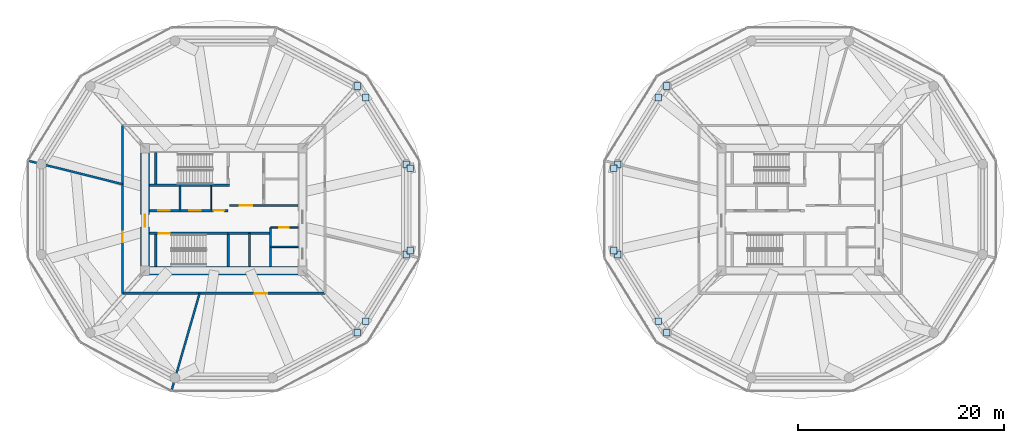
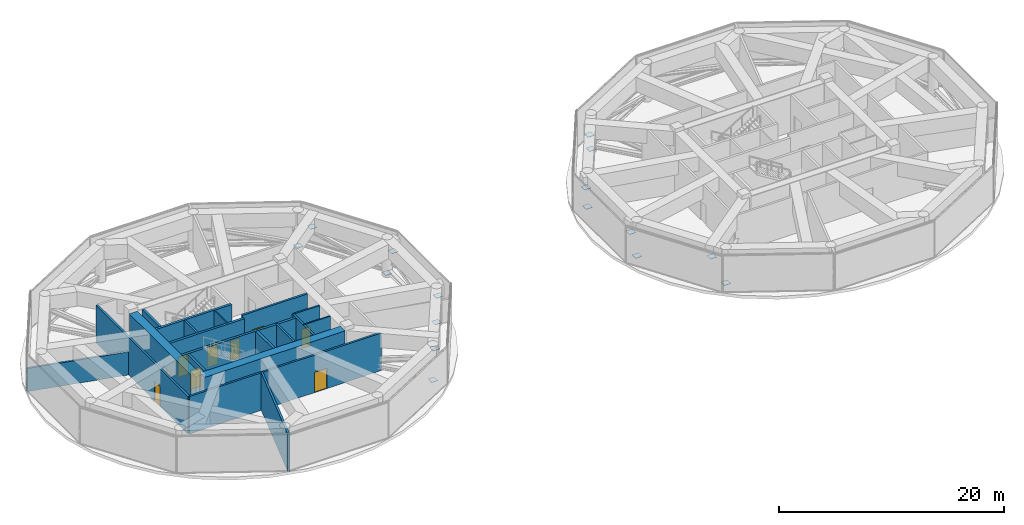
# One storey, part 16 of 22: 20 walls, 16 plates, 9 doors, 9 openings.
"""IFC4 building model written with IfcOpenShell, lengths in metres."""

from ifc_helpers import new_model, si_unit, direction, frame, frame_2d, origin, origin_2d, place, context, subcontext, project, spatial, rectangle, extrude, source, transform, mapped, material, layer, layer_set, type_object, type_shapes, element, fill, save


model = new_model("IFC4")

# Units and contexts
model_context = context("Model", 3, precision=1e-05, world=origin(), true_north=direction((0.0, 1.0)))
body_context = subcontext(model_context, "Body", "Model", "MODEL_VIEW")
ifc_project = project(units=[si_unit("LENGTHUNIT", "METRE"), si_unit("AREAUNIT", "SQUARE_METRE"), si_unit("VOLUMEUNIT", "CUBIC_METRE"), si_unit("PLANEANGLEUNIT", "RADIAN"), si_unit("MASSUNIT", "GRAM", prefix="KILO")], contexts=[model_context])

# Site, building, storey
site_placement = place(None, origin())
site = spatial("IfcSite", under=ifc_project, at=site_placement, CompositionType="ELEMENT")
building_placement = place(site_placement, origin())
building = spatial("IfcBuilding", under=site, at=building_placement, Name="Norrkilde Senior Care Towers", CompositionType="ELEMENT")
storey_placement = place(building_placement, frame((0.0, 0.0, 73.449951171875)))
storey = spatial("IfcBuildingStorey", under=building, at=storey_placement, Name="L22", CompositionType="ELEMENT", Elevation=73.449951171875)

# Plates
ifc_material_1 = material(Name="Steel S355", Category="steel")
ifc_layer_1 = layer(ifc_material_1, 0.034912109375)
ifc_layer_set_1 = layer_set([ifc_layer_1], Name="Steel S355")
plate_type = type_object("IfcPlateType", Name="Truss Node Gusset Plate 35", PredefinedType="USERDEFINED", material=ifc_layer_set_1)
shared_shape_1 = source(origin(), body_context, "Body", "SweptSolid", [
    extrude(rectangle(XDim=0.64990234375, YDim=0.64990234375, at=origin_2d()), origin(), (0.0, 0.0, 1.0), 0.034912109375),
])
type_shapes(plate_type, [shared_shape_1])
for number, where, z_axis, x_axis, name in (
    (1, (-10.275146484375, 4.386962890625, 0.1328125), (0.0, 0.0, 1.0), (1.0, 0.0, 0.0), "L22 Drum W Zone Strut 01 Lower Gusset Plate"),
    (2, (-9.89111328125, 3.986083984375, 2.61279296875), (0.0, 0.0, 1.0), (1.0, 0.0, 0.0), "L22 Drum W Zone Strut 01 Upper Gusset Plate"),
    (3, (-15.024658203125, 11.9853515625, 0.1328125), (0.0, 0.0, 1.0), (1.0, 0.0, 0.0), "L22 Drum W Zone Strut 02 Lower Gusset Plate"),
    (4, (-14.223388671875, 10.876708984375, 2.61279296875), (0.0, 0.0, 1.0), (1.0, 0.0, 0.0), "L22 Drum W Zone Strut 02 Upper Gusset Plate"),
    (5, (-15.024658203125, -11.9853515625, 0.1328125), (0.0, 0.0, 1.0), (1.0, 0.0, 0.0), "L22 Drum W Zone Strut 11 Lower Gusset Plate"),
    (6, (-14.223388671875, -10.876708984375, 2.61279296875), (0.0, 0.0, 1.0), (1.0, 0.0, 0.0), "L22 Drum W Zone Strut 11 Upper Gusset Plate"),
    (7, (-10.275146484375, -4.386962890625, 0.1328125), (0.0, 0.0, 1.0), (1.0, 0.0, 0.0), "L22 Drum W Zone Strut 12 Lower Gusset Plate"),
    (8, (-9.89111328125, -3.986083984375, 2.61279296875), (0.0, 0.0, 1.0), (1.0, 0.0, 0.0), "L22 Drum W Zone Strut 12 Upper Gusset Plate"),
    (9, (15.024658203125, 11.9853515625, 0.1328125), (0.0, 0.0, 1.0), (1.0, 0.0, 0.0), "L22 Drum E Zone Strut 05 Lower Gusset Plate"),
    (10, (14.223388671875, 10.876708984375, 2.61279296875), (0.0, 0.0, 1.0), (1.0, 0.0, 0.0), "L22 Drum E Zone Strut 05 Upper Gusset Plate"),
    (11, (10.275146484375, 4.386962890625, 0.1328125), (0.0, 0.0, 1.0), (1.0, 0.0, 0.0), "L22 Drum E Zone Strut 06 Lower Gusset Plate"),
    (12, (9.89111328125, 3.986083984375, 2.61279296875), (0.0, 0.0, 1.0), (1.0, 0.0, 0.0), "L22 Drum E Zone Strut 06 Upper Gusset Plate"),
    (13, (10.275146484375, -4.386962890625, 0.1328125), (0.0, 0.0, 1.0), (1.0, 0.0, 0.0), "L22 Drum E Zone Strut 07 Lower Gusset Plate"),
    (14, (9.89111328125, -3.986083984375, 2.61279296875), (0.0, 0.0, 1.0), (1.0, 0.0, 0.0), "L22 Drum E Zone Strut 07 Upper Gusset Plate"),
    (15, (15.024658203125, -11.9853515625, 0.1328125), (0.0, 0.0, 1.0), (1.0, 0.0, 0.0), "L22 Drum E Zone Strut 08 Lower Gusset Plate"),
    (16, (14.223388671875, -10.876708984375, 2.61279296875), (0.0, 0.0, 1.0), (1.0, 0.0, 0.0), "L22 Drum E Zone Strut 08 Upper Gusset Plate"),
):
    element("IfcPlate", number, at=place(storey_placement, frame(where, z_axis=z_axis, x_axis=x_axis)), inside=storey, type_object=plate_type, Name=name, ObjectType="GUSSET_PLATE", PredefinedType="USERDEFINED", context=body_context, shape_type="MappedRepresentation", body=[
        mapped(shared_shape_1, transform((0.0, 0.0, 0.0), x_axis=(1.0, 0.0, 0.0), y_axis=(0.0, 1.0, 0.0), z_axis=(0.0, 0.0, 1.0), scale=1.0)),
    ])

# Wall
ifc_material_2 = material(Name="Concrete C60/75", Category="concrete")
ifc_layer_2 = layer(ifc_material_2, 0.85009765625)
ifc_layer_set_2 = layer_set([ifc_layer_2], Name="Concrete C60/75")
wall_type_1 = type_object("IfcWallType", Name="Core Shear Wall Z1 850", PredefinedType="SHEAR", material=ifc_layer_set_2)
shared_shape_2 = source(origin(), body_context, "Body", "SweptSolid", [
    extrude(rectangle(XDim=14.39990234375, YDim=0.85009765625, at=frame_2d((7.199951171875, 0.0))), origin(), (0.0, 0.0, 1.0), 4.080078125),
])
wall_1_placement = place(storey_placement, frame((-20.800048828125, -5.949951171875, 0.0), z_axis=(0.0, 0.0, 1.0), x_axis=(-1.0, 0.0, 0.0)))
element("IfcWall", 17, at=wall_1_placement, inside=storey, type_object=wall_type_1, Name="L22 Core W South Shear Wall", PredefinedType="SHEAR", context=body_context, shape_type="MappedRepresentation", body=[
    mapped(shared_shape_2, transform((0.0, 0.0, 0.0), x_axis=(1.0, 0.0, 0.0), y_axis=(0.0, 1.0, 0.0), z_axis=(0.0, 0.0, 1.0), scale=1.0)),
])

# Wall, opening, door
shared_shape_3 = source(origin(), body_context, "Body", "SweptSolid", [
    extrude(rectangle(XDim=11.0, YDim=0.85009765625, at=frame_2d((5.5, 0.0))), origin(), (0.0, 0.0, 1.0), 4.080078125),
])
type_shapes(wall_type_1, [shared_shape_2, shared_shape_3])
wall_2_placement = place(storey_placement, frame((-35.64990234375, -5.5, 0.0), z_axis=(0.0, 0.0, 1.0), x_axis=(0.0, 1.0, 0.0)))
wall_2 = element("IfcWall", 18, at=wall_2_placement, inside=storey, type_object=wall_type_1, Name="L22 Core W West Shear Wall", PredefinedType="SHEAR", context=body_context, shape_type="MappedRepresentation", body=[
    mapped(shared_shape_3, transform((0.0, 0.0, 0.0), x_axis=(1.0, 0.0, 0.0), y_axis=(0.0, 1.0, 0.0), z_axis=(0.0, 0.0, 1.0), scale=1.0)),
])
opening_1_placement = place(wall_2_placement, frame((3.800048828125, 0.0, 0.0)))
opening_1 = element("IfcOpeningElement", 19, at=opening_1_placement, cuts=wall_2, Name="Opening D-04", PredefinedType="OPENING", context=body_context, shape_type="SweptSolid", body=[
    extrude(rectangle(XDim=1.199951171875, YDim=2.14990234375, at=frame_2d((0.60009765625, 1.074951171875))), frame((0.0, 0.43505859375, 0.0), z_axis=(0.0, -1.0, 0.0), x_axis=(1.0, 0.0, 0.0)), (0.0, 0.0, 1.0), 0.8701171875),
])
ifc_material_3 = material(Name="Galvanised Painted Steel", Category="steel")
door_type_1 = type_object("IfcDoorType", Name="Firefighting Lobby Fire Door 1200x2150", OperationType="NOTDEFINED", PredefinedType="DOOR", material=ifc_material_3)
shared_shape_4 = source(origin(), body_context, "Body", "SweptSolid", [
    extrude(rectangle(XDim=1.199951171875, YDim=2.14990234375, at=frame_2d((0.60009765625, 1.074951171875))), frame((0.0, 0.02490234375, 0.0), z_axis=(0.0, -1.0, 0.0), x_axis=(1.0, 0.0, 0.0)), (0.0, 0.0, 1.0), 0.050048828125),
])
type_shapes(door_type_1, [shared_shape_4])
door_1_placement = place(opening_1_placement, frame((1.199951171875, 0.0, 0.0), z_axis=(0.0, 0.0, 1.0), x_axis=(-1.0, 0.0, 0.0)))
door_1 = element("IfcDoor", 20, at=door_1_placement, inside=storey, type_object=door_type_1, Name="L22 Core W West Portal Door", OperationType="SINGLE_SWING_LEFT", OverallHeight=2.14990234375, OverallWidth=1.199951171875, PredefinedType="DOOR", context=body_context, shape_type="MappedRepresentation", body=[
    mapped(shared_shape_4, transform((0.0, 0.0, 0.0), x_axis=(1.0, 0.0, 0.0), y_axis=(0.0, 1.0, 0.0), z_axis=(0.0, 0.0, 1.0), scale=1.0)),
])
fill(opening_1, door_1)

# Wall
ifc_material_4 = material(Name="Concrete C45/55", Category="concrete")
ifc_layer_3 = layer(ifc_material_4, 0.239990234375)
ifc_layer_set_3 = layer_set([ifc_layer_3], Name="Concrete C45/55")
wall_type_2 = type_object("IfcWallType", Name="Shaft and Stair Enclosure Wall 240", PredefinedType="PARTITIONING", material=ifc_layer_set_3)
shared_shape_5 = source(origin(), body_context, "Body", "SweptSolid", [
    extrude(rectangle(XDim=7.76513671875, YDim=0.239990234375, at=frame_2d((3.882568359375, 0.0))), origin(), (0.0, 0.0, 1.0), 4.080078125),
])
wall_3_placement = place(storey_placement, frame((-35.22509765625, 2.330078125, 0.0), z_axis=(0.0, 0.0, 1.0), x_axis=(1.0, 0.0, 0.0)))
element("IfcWall", 21, at=wall_3_placement, inside=storey, type_object=wall_type_2, Name="WL-INT-L22-W-ST1S", PredefinedType="PARTITIONING", context=body_context, shape_type="MappedRepresentation", body=[
    mapped(shared_shape_5, transform((0.0, 0.0, 0.0), x_axis=(1.0, 0.0, 0.0), y_axis=(0.0, 1.0, 0.0), z_axis=(0.0, 0.0, 1.0), scale=1.0)),
])

# Wall, opening, door
wall_4_placement = place(storey_placement, frame((-35.22509765625, -2.330078125, 0.0), z_axis=(0.0, 0.0, 1.0), x_axis=(1.0, 0.0, 0.0)))
wall_4 = element("IfcWall", 22, at=wall_4_placement, inside=storey, type_object=wall_type_2, Name="WL-INT-L22-W-ST2N", PredefinedType="PARTITIONING", context=body_context, shape_type="MappedRepresentation", body=[
    mapped(shared_shape_5, transform((0.0, 0.0, 0.0), x_axis=(1.0, 0.0, 0.0), y_axis=(0.0, 1.0, 0.0), z_axis=(0.0, 0.0, 1.0), scale=1.0)),
])
opening_2_placement = place(wall_4_placement, frame((0.885009765625, 0.0, 0.0)))
opening_2 = element("IfcOpeningElement", 23, at=opening_2_placement, cuts=wall_4, Name="Opening D-03", PredefinedType="OPENING", context=body_context, shape_type="SweptSolid", body=[
    extrude(rectangle(XDim=1.10009765625, YDim=2.14990234375, at=frame_2d((0.550048828125, 1.074951171875))), frame((0.0, 0.1298828125, 0.0), z_axis=(0.0, -1.0, 0.0), x_axis=(1.0, 0.0, 0.0)), (0.0, 0.0, 1.0), 0.260009765625),
])
door_type_2 = type_object("IfcDoorType", Name="Stairwell Protected Fire Door 1100x2150", OperationType="NOTDEFINED", PredefinedType="DOOR", material=ifc_material_3)
shared_shape_6 = source(origin(), body_context, "Body", "SweptSolid", [
    extrude(rectangle(XDim=1.10009765625, YDim=2.14990234375, at=frame_2d((0.550048828125, 1.074951171875))), frame((0.0, 0.02490234375, 0.0), z_axis=(0.0, -1.0, 0.0), x_axis=(1.0, 0.0, 0.0)), (0.0, 0.0, 1.0), 0.050048828125),
])
type_shapes(door_type_2, [shared_shape_6])
door_2_placement = place(opening_2_placement, frame((1.10009765625, 0.0, 0.0), z_axis=(0.0, 0.0, 1.0), x_axis=(-1.0, 0.0, 0.0)))
door_2 = element("IfcDoor", 24, at=door_2_placement, inside=storey, type_object=door_type_2, Name="L22 Stair W2 Fire Door", OperationType="SINGLE_SWING_RIGHT", OverallHeight=2.14990234375, OverallWidth=1.10009765625, PredefinedType="DOOR", context=body_context, shape_type="MappedRepresentation", body=[
    mapped(shared_shape_6, transform((0.0, 0.0, 0.0), x_axis=(1.0, 0.0, 0.0), y_axis=(0.0, 1.0, 0.0), z_axis=(0.0, 0.0, 1.0), scale=1.0)),
])
fill(opening_2, door_2)

# Walls
shared_shape_7 = source(origin(), body_context, "Body", "SweptSolid", [
    extrude(rectangle(XDim=3.074951171875, YDim=0.239990234375, at=frame_2d((1.53759765625, 0.0))), origin(), (0.0, 0.0, 1.0), 4.080078125),
])
type_shapes(wall_type_2, [shared_shape_5, shared_shape_7])
for number, where, z_axis, x_axis, name in (
    (25, (-34.6201171875, 2.449951171875, 0.0), (0.0, 0.0, 1.0), (0.0, 1.0, 0.0), "WL-INT-L22-W-ST1W"),
    (26, (-34.6201171875, -5.52490234375, 0.0), (0.0, 0.0, 1.0), (0.0, 1.0, 0.0), "WL-INT-L22-W-ST2W"),
    (27, (-27.580078125, -5.52490234375, 0.0), (0.0, 0.0, 1.0), (0.0, 1.0, 0.0), "WL-INT-L22-W-ST2E"),
):
    element("IfcWall", number, at=place(storey_placement, frame(where, z_axis=z_axis, x_axis=x_axis)), inside=storey, type_object=wall_type_2, Name=name, PredefinedType="PARTITIONING", context=body_context, shape_type="MappedRepresentation", body=[
        mapped(shared_shape_7, transform((0.0, 0.0, 0.0), x_axis=(1.0, 0.0, 0.0), y_axis=(0.0, 1.0, 0.0), z_axis=(0.0, 0.0, 1.0), scale=1.0)),
    ])

# Wall, opening, door
ifc_layer_4 = layer(ifc_material_4, 0.2099609375)
ifc_layer_set_4 = layer_set([ifc_layer_4], Name="Concrete C45/55")
wall_type_3 = type_object("IfcWallType", Name="Firefighting Lobby Wall 210", PredefinedType="PARTITIONING", material=ifc_layer_set_4)
shared_shape_8 = source(origin(), body_context, "Body", "SweptSolid", [
    extrude(rectangle(XDim=6.659912109375, YDim=0.2099609375, at=frame_2d((3.330078125, 0.0))), origin(), (0.0, 0.0, 1.0), 4.06494140625),
])
type_shapes(wall_type_3, [shared_shape_8])
wall_5_placement = place(storey_placement, frame((-27.4599609375, 0.389892578125, 0.0), z_axis=(0.0, 0.0, 1.0), x_axis=(1.0, 0.0, 0.0)))
wall_5 = element("IfcWall", 28, at=wall_5_placement, inside=storey, type_object=wall_type_3, Name="WL-INT-L22-W-FFLS", PredefinedType="PARTITIONING", context=body_context, shape_type="MappedRepresentation", body=[
    mapped(shared_shape_8, transform((0.0, 0.0, 0.0), x_axis=(1.0, 0.0, 0.0), y_axis=(0.0, 1.0, 0.0), z_axis=(0.0, 0.0, 1.0), scale=1.0)),
])
opening_3_placement = place(wall_5_placement, frame((1.0, 0.0, 0.0)))
opening_3 = element("IfcOpeningElement", 29, at=opening_3_placement, cuts=wall_5, Name="Opening D-04", PredefinedType="OPENING", context=body_context, shape_type="SweptSolid", body=[
    extrude(rectangle(XDim=1.199951171875, YDim=2.14990234375, at=frame_2d((0.60009765625, 1.074951171875))), frame((0.0, 0.114990234375, 0.0), z_axis=(0.0, -1.0, 0.0), x_axis=(1.0, 0.0, 0.0)), (0.0, 0.0, 1.0), 0.22998046875),
])
door_3_placement = place(opening_3_placement, frame((1.199951171875, 0.0, 0.0), z_axis=(0.0, 0.0, 1.0), x_axis=(-1.0, 0.0, 0.0)))
door_3 = element("IfcDoor", 30, at=door_3_placement, inside=storey, type_object=door_type_1, Name="L22 Firefighting Lobby W Door", OperationType="SINGLE_SWING_LEFT", OverallHeight=2.14990234375, OverallWidth=1.199951171875, PredefinedType="DOOR", context=body_context, shape_type="MappedRepresentation", body=[
    mapped(shared_shape_4, transform((0.0, 0.0, 0.0), x_axis=(1.0, 0.0, 0.0), y_axis=(0.0, 1.0, 0.0), z_axis=(0.0, 0.0, 1.0), scale=1.0)),
])
fill(opening_3, door_3)

# Wall, openings, doors
ifc_layer_5 = layer(ifc_material_4, 0.239990234375)
ifc_layer_set_5 = layer_set([ifc_layer_5], Name="Concrete C45/55")
wall_type_4 = type_object("IfcWallType", Name="Lift and Plant Rated Enclosure Partition 240", PredefinedType="PARTITIONING", material=ifc_layer_set_5)
shared_shape_9 = source(origin(), body_context, "Body", "SweptSolid", [
    extrude(rectangle(XDim=7.619873046875, YDim=0.239990234375, at=frame_2d((3.81005859375, 0.0))), origin(), (0.0, 0.0, 1.0), 4.06494140625),
])
wall_6_placement = place(storey_placement, frame((-35.199951171875, -0.1298828125, 0.0), z_axis=(0.0, 0.0, 1.0), x_axis=(1.0, 0.0, 0.0)))
wall_6 = element("IfcWall", 31, at=wall_6_placement, inside=storey, type_object=wall_type_4, Name="WL-INT-L22-W-PKAS", PredefinedType="PARTITIONING", context=body_context, shape_type="MappedRepresentation", body=[
    mapped(shared_shape_9, transform((0.0, 0.0, 0.0), x_axis=(1.0, 0.0, 0.0), y_axis=(0.0, 1.0, 0.0), z_axis=(0.0, 0.0, 1.0), scale=1.0)),
])
opening_4_placement = place(wall_6_placement, frame((6.219970703125, 0.0, 0.0)))
opening_4 = element("IfcOpeningElement", 32, at=opening_4_placement, cuts=wall_6, Name="Opening D-10", PredefinedType="OPENING", context=body_context, shape_type="SweptSolid", body=[
    extrude(rectangle(XDim=1.0, YDim=2.10009765625, at=frame_2d((0.5, 1.050048828125))), frame((0.0, 0.1298828125, 0.0), z_axis=(0.0, -1.0, 0.0), x_axis=(1.0, 0.0, 0.0)), (0.0, 0.0, 1.0), 0.260009765625),
])
opening_5_placement = place(wall_6_placement, frame((0.85009765625, 0.0, 0.0)))
opening_5 = element("IfcOpeningElement", 33, at=opening_5_placement, cuts=wall_6, Name="Opening LD-01", PredefinedType="OPENING", context=body_context, shape_type="SweptSolid", body=[
    extrude(rectangle(XDim=1.10009765625, YDim=2.199951171875, at=frame_2d((0.550048828125, 1.10009765625))), frame((0.0, 0.1298828125, 0.0), z_axis=(0.0, -1.0, 0.0), x_axis=(1.0, 0.0, 0.0)), (0.0, 0.0, 1.0), 0.260009765625),
])
opening_6_placement = place(wall_6_placement, frame((3.85009765625, 0.0, 0.0)))
opening_6 = element("IfcOpeningElement", 34, at=opening_6_placement, cuts=wall_6, Name="Opening LD-01", PredefinedType="OPENING", context=body_context, shape_type="SweptSolid", body=[
    extrude(rectangle(XDim=1.10009765625, YDim=2.199951171875, at=frame_2d((0.550048828125, 1.10009765625))), frame((0.0, 0.1298828125, 0.0), z_axis=(0.0, -1.0, 0.0), x_axis=(1.0, 0.0, 0.0)), (0.0, 0.0, 1.0), 0.260009765625),
])
door_type_3 = type_object("IfcDoorType", Name="Plant and Riser Rated Door 1000x2100", OperationType="NOTDEFINED", PredefinedType="DOOR", material=ifc_material_3)
shared_shape_10 = source(origin(), body_context, "Body", "SweptSolid", [
    extrude(rectangle(XDim=1.0, YDim=2.10009765625, at=frame_2d((0.5, 1.050048828125))), frame((0.0, 0.02490234375, 0.0), z_axis=(0.0, -1.0, 0.0), x_axis=(1.0, 0.0, 0.0)), (0.0, 0.0, 1.0), 0.050048828125),
])
type_shapes(door_type_3, [shared_shape_10])
door_4_placement = place(opening_4_placement, frame((1.0, 0.0, 0.0), z_axis=(0.0, 0.0, 1.0), x_axis=(-1.0, 0.0, 0.0)))
door_4 = element("IfcDoor", 35, at=door_4_placement, inside=storey, type_object=door_type_3, Name="L22 Electrical Riser W Door", OperationType="SINGLE_SWING_LEFT", OverallHeight=2.10009765625, OverallWidth=1.0, PredefinedType="DOOR", context=body_context, shape_type="MappedRepresentation", body=[
    mapped(shared_shape_10, transform((0.0, 0.0, 0.0), x_axis=(1.0, 0.0, 0.0), y_axis=(0.0, 1.0, 0.0), z_axis=(0.0, 0.0, 1.0), scale=1.0)),
])
fill(opening_4, door_4)
ifc_material_5 = material(Name="Stainless Steel", Category="steel")
door_type_4 = type_object("IfcDoorType", Name="Lift Landing Sliding Door 1100x2200", OperationType="NOTDEFINED", PredefinedType="DOOR", material=ifc_material_5)
shared_shape_11 = source(origin(), body_context, "Body", "SweptSolid", [
    extrude(rectangle(XDim=1.10009765625, YDim=2.199951171875, at=frame_2d((0.550048828125, 1.10009765625))), frame((0.0, 0.02490234375, 0.0), z_axis=(0.0, -1.0, 0.0), x_axis=(1.0, 0.0, 0.0)), (0.0, 0.0, 1.0), 0.050048828125),
])
type_shapes(door_type_4, [shared_shape_11])
door_5_placement = place(opening_5_placement, origin())
door_5 = element("IfcDoor", 36, at=door_5_placement, inside=storey, type_object=door_type_4, Name="L22 Passenger Lift W1 Landing Door", OperationType="SLIDING_TO_LEFT", OverallHeight=2.199951171875, OverallWidth=1.10009765625, PredefinedType="DOOR", context=body_context, shape_type="MappedRepresentation", body=[
    mapped(shared_shape_11, transform((0.0, 0.0, 0.0), x_axis=(1.0, 0.0, 0.0), y_axis=(0.0, 1.0, 0.0), z_axis=(0.0, 0.0, 1.0), scale=1.0)),
])
fill(opening_5, door_5)
door_6_placement = place(opening_6_placement, origin())
door_6 = element("IfcDoor", 37, at=door_6_placement, inside=storey, type_object=door_type_4, Name="L22 Passenger Lift W2 Landing Door", OperationType="SLIDING_TO_RIGHT", OverallHeight=2.199951171875, OverallWidth=1.10009765625, PredefinedType="DOOR", context=body_context, shape_type="MappedRepresentation", body=[
    mapped(shared_shape_11, transform((0.0, 0.0, 0.0), x_axis=(1.0, 0.0, 0.0), y_axis=(0.0, 1.0, 0.0), z_axis=(0.0, 0.0, 1.0), scale=1.0)),
])
fill(opening_6, door_6)

# Walls
ifc_material_6 = material(Name="Gypsum Acoustic Board")
ifc_layer_6 = layer(ifc_material_6, 0.114990234375)
ifc_layer_set_6 = layer_set([ifc_layer_6], Name="Gypsum Acoustic Board")
wall_type_5 = type_object("IfcWallType", Name="Internal Room Partition 115", PredefinedType="PARTITIONING", material=ifc_layer_set_6)
shared_shape_12 = source(origin(), body_context, "Body", "SweptSolid", [
    extrude(rectangle(XDim=2.330078125, YDim=0.114990234375, at=frame_2d((1.1650390625, 0.0))), origin(), (0.0, 0.0, 1.0), 4.06494140625),
])
type_shapes(wall_type_5, [shared_shape_12])
wall_7_placement = place(storey_placement, frame((-29.2099609375, -0.050048828125, 0.0), z_axis=(0.0, 0.0, 1.0), x_axis=(0.0, 1.0, 0.0)))
element("IfcWall", 38, at=wall_7_placement, inside=storey, type_object=wall_type_5, Name="WL-INT-L22-W-RISW", PredefinedType="PARTITIONING", context=body_context, shape_type="MappedRepresentation", body=[
    mapped(shared_shape_12, transform((0.0, 0.0, 0.0), x_axis=(1.0, 0.0, 0.0), y_axis=(0.0, 1.0, 0.0), z_axis=(0.0, 0.0, 1.0), scale=1.0)),
])
ifc_layer_7 = layer(ifc_material_4, 0.199951171875)
ifc_layer_set_7 = layer_set([ifc_layer_7], Name="Concrete C45/55")
wall_type_6 = type_object("IfcWallType", Name="Shaft Division and Plant Partition 200", PredefinedType="PARTITIONING", material=ifc_layer_set_7)
shared_shape_13 = source(origin(), body_context, "Body", "SweptSolid", [
    extrude(rectangle(XDim=2.330078125, YDim=0.199951171875, at=frame_2d((1.1650390625, 0.0))), origin(), (0.0, 0.0, 1.0), 4.06494140625),
])
wall_8_placement = place(storey_placement, frame((-32.25, -0.050048828125, 0.0), z_axis=(0.0, 0.0, 1.0), x_axis=(0.0, 1.0, 0.0)))
element("IfcWall", 39, at=wall_8_placement, inside=storey, type_object=wall_type_6, Name="WL-INT-L22-W-PL12", PredefinedType="PARTITIONING", context=body_context, shape_type="MappedRepresentation", body=[
    mapped(shared_shape_13, transform((0.0, 0.0, 0.0), x_axis=(1.0, 0.0, 0.0), y_axis=(0.0, 1.0, 0.0), z_axis=(0.0, 0.0, 1.0), scale=1.0)),
])
shared_shape_14 = source(origin(), body_context, "Body", "SweptSolid", [
    extrude(rectangle(XDim=3.800048828125, YDim=0.199951171875, at=frame_2d((1.89990234375, 0.0))), origin(), (0.0, 0.0, 1.0), 4.06494140625),
])
wall_9_placement = place(storey_placement, frame((-23.449951171875, -5.550048828125, 0.0), z_axis=(0.0, 0.0, 1.0), x_axis=(0.0, 1.0, 0.0)))
element("IfcWall", 40, at=wall_9_placement, inside=storey, type_object=wall_type_6, Name="WL-INT-L22-W-PKBE", PredefinedType="PARTITIONING", context=body_context, shape_type="MappedRepresentation", body=[
    mapped(shared_shape_14, transform((0.0, 0.0, 0.0), x_axis=(1.0, 0.0, 0.0), y_axis=(0.0, 1.0, 0.0), z_axis=(0.0, 0.0, 1.0), scale=1.0)),
])
shared_shape_15 = source(origin(), body_context, "Body", "SweptSolid", [
    extrude(rectangle(XDim=4.130126953125, YDim=0.239990234375, at=frame_2d((2.06494140625, 0.0))), origin(), (0.0, 0.0, 1.0), 4.06494140625),
])
type_shapes(wall_type_4, [shared_shape_9, shared_shape_15])
wall_10_placement = place(storey_placement, frame((-27.580078125, -2.330078125, 0.0), z_axis=(0.0, 0.0, 1.0), x_axis=(1.0, 0.0, 0.0)))
element("IfcWall", 41, at=wall_10_placement, inside=storey, type_object=wall_type_4, Name="WL-INT-L22-W-PKBN", PredefinedType="PARTITIONING", context=body_context, shape_type="MappedRepresentation", body=[
    mapped(shared_shape_15, transform((0.0, 0.0, 0.0), x_axis=(1.0, 0.0, 0.0), y_axis=(0.0, 1.0, 0.0), z_axis=(0.0, 0.0, 1.0), scale=1.0)),
])
ifc_layer_8 = layer(ifc_material_4, 0.179931640625)
ifc_layer_set_8 = layer_set([ifc_layer_8], Name="Concrete C45/55")
wall_type_7 = type_object("IfcWallType", Name="Hoistway Division Rated Partition 180", PredefinedType="PARTITIONING", material=ifc_layer_set_8)
shared_shape_16 = source(origin(), body_context, "Body", "SweptSolid", [
    extrude(rectangle(XDim=3.219970703125, YDim=0.179931640625, at=frame_2d((1.60986328125, 0.0))), origin(), (0.0, 0.0, 1.0), 4.06494140625),
])
type_shapes(wall_type_7, [shared_shape_16])
wall_11_placement = place(storey_placement, frame((-25.5, -5.550048828125, 0.0), z_axis=(0.0, 0.0, 1.0), x_axis=(0.0, 1.0, 0.0)))
element("IfcWall", 42, at=wall_11_placement, inside=storey, type_object=wall_type_7, Name="WL-INT-L22-W-PL34", PredefinedType="PARTITIONING", context=body_context, shape_type="MappedRepresentation", body=[
    mapped(shared_shape_16, transform((0.0, 0.0, 0.0), x_axis=(1.0, 0.0, 0.0), y_axis=(0.0, 1.0, 0.0), z_axis=(0.0, 0.0, 1.0), scale=1.0)),
])

# Wall, opening, door
ifc_layer_9 = layer(ifc_material_6, 0.1650390625)
ifc_layer_set_9 = layer_set([ifc_layer_9], Name="Gypsum Acoustic Board")
wall_type_8 = type_object("IfcWallType", Name="Corridor Rated Partition 165", PredefinedType="PARTITIONING", material=ifc_layer_set_9)
shared_shape_17 = source(origin(), body_context, "Body", "SweptSolid", [
    extrude(rectangle(XDim=2.699951171875, YDim=0.1650390625, at=frame_2d((1.35009765625, 0.0))), origin(), (0.0, 0.0, 1.0), 4.06494140625),
])
type_shapes(wall_type_8, [shared_shape_17])
wall_12_placement = place(storey_placement, frame((-23.449951171875, -1.75, 0.0), z_axis=(0.0, 0.0, 1.0), x_axis=(1.0, 0.0, 0.0)))
wall_12 = element("IfcWall", 43, at=wall_12_placement, inside=storey, type_object=wall_type_8, Name="WL-INT-L22-W-CSN", PredefinedType="PARTITIONING", context=body_context, shape_type="MappedRepresentation", body=[
    mapped(shared_shape_17, transform((0.0, 0.0, 0.0), x_axis=(1.0, 0.0, 0.0), y_axis=(0.0, 1.0, 0.0), z_axis=(0.0, 0.0, 1.0), scale=1.0)),
])
opening_7_placement = place(wall_12_placement, frame((0.85009765625, 0.0, 0.0)))
opening_7 = element("IfcOpeningElement", 44, at=opening_7_placement, cuts=wall_12, Name="Opening D-12", PredefinedType="OPENING", context=body_context, shape_type="SweptSolid", body=[
    extrude(rectangle(XDim=0.925048828125, YDim=2.10009765625, at=frame_2d((0.46240234375, 1.050048828125))), frame((0.0, 0.092529296875, 0.0), z_axis=(0.0, -1.0, 0.0), x_axis=(1.0, 0.0, 0.0)), (0.0, 0.0, 1.0), 0.18505859375),
])
door_type_5 = type_object("IfcDoorType", Name="Core Wet Room Rated Door 925x2100", OperationType="NOTDEFINED", PredefinedType="DOOR", material=ifc_material_3)
shared_shape_18 = source(origin(), body_context, "Body", "SweptSolid", [
    extrude(rectangle(XDim=0.925048828125, YDim=2.10009765625, at=frame_2d((0.46240234375, 1.050048828125))), frame((0.0, 0.02490234375, 0.0), z_axis=(0.0, -1.0, 0.0), x_axis=(1.0, 0.0, 0.0)), (0.0, 0.0, 1.0), 0.050048828125),
])
type_shapes(door_type_5, [shared_shape_18])
door_7_placement = place(opening_7_placement, origin())
door_7 = element("IfcDoor", 45, at=door_7_placement, inside=storey, type_object=door_type_5, Name="L22 Staff WC W Door", OperationType="SINGLE_SWING_LEFT", OverallHeight=2.10009765625, OverallWidth=0.925048828125, PredefinedType="DOOR", context=body_context, shape_type="MappedRepresentation", body=[
    mapped(shared_shape_18, transform((0.0, 0.0, 0.0), x_axis=(1.0, 0.0, 0.0), y_axis=(0.0, 1.0, 0.0), z_axis=(0.0, 0.0, 1.0), scale=1.0)),
])
fill(opening_7, door_7)

# Wall
ifc_layer_10 = layer(ifc_material_6, 0.139892578125)
ifc_layer_set_10 = layer_set([ifc_layer_10], Name="Gypsum Acoustic Board")
wall_type_9 = type_object("IfcWallType", Name="En-suite Wet Room Wall 140", PredefinedType="PARTITIONING", material=ifc_layer_set_10)
shared_shape_19 = source(origin(), body_context, "Body", "SweptSolid", [
    extrude(rectangle(XDim=2.699951171875, YDim=0.139892578125, at=frame_2d((1.35009765625, 0.0))), origin(), (0.0, 0.0, 1.0), 4.06494140625),
])
type_shapes(wall_type_9, [shared_shape_19])
wall_13_placement = place(storey_placement, frame((-23.449951171875, -3.64990234375, 0.0), z_axis=(0.0, 0.0, 1.0), x_axis=(1.0, 0.0, 0.0)))
element("IfcWall", 46, at=wall_13_placement, inside=storey, type_object=wall_type_9, Name="WL-INT-L22-W-CS2H", PredefinedType="PARTITIONING", context=body_context, shape_type="MappedRepresentation", body=[
    mapped(shared_shape_19, transform((0.0, 0.0, 0.0), x_axis=(1.0, 0.0, 0.0), y_axis=(0.0, 1.0, 0.0), z_axis=(0.0, 0.0, 1.0), scale=1.0)),
])

# Wall, opening, door
shared_shape_20 = source(origin(), body_context, "Body", "SweptSolid", [
    extrude(rectangle(XDim=19.7001953125, YDim=0.199951171875, at=frame_2d((9.85009765625, 0.0))), origin(), (0.0, 0.0, 1.0), 4.06494140625),
])
wall_14_placement = place(storey_placement, frame((-18.14990234375, -8.14990234375, 0.0), z_axis=(0.0, 0.0, 1.0), x_axis=(-1.0, 0.0, 0.0)))
wall_14 = element("IfcWall", 47, at=wall_14_placement, inside=storey, type_object=wall_type_6, Name="WL-INT-L22-W-PCR-S", PredefinedType="PARTITIONING", context=body_context, shape_type="MappedRepresentation", body=[
    mapped(shared_shape_20, transform((0.0, 0.0, 0.0), x_axis=(1.0, 0.0, 0.0), y_axis=(0.0, 1.0, 0.0), z_axis=(0.0, 0.0, 1.0), scale=1.0)),
])
opening_8_placement = place(wall_14_placement, frame((5.61181640625, 0.0, 0.0)))
opening_8 = element("IfcOpeningElement", 48, at=opening_8_placement, cuts=wall_14, Name="Opening D-05", PredefinedType="OPENING", context=body_context, shape_type="SweptSolid", body=[
    extrude(rectangle(XDim=1.25, YDim=2.199951171875, at=frame_2d((0.625, 1.10009765625))), frame((0.0, 0.10986328125, 0.0), z_axis=(0.0, -1.0, 0.0), x_axis=(1.0, 0.0, 0.0)), (0.0, 0.0, 1.0), 0.219970703125),
])
ifc_material_7 = material(Name="Nordic Ash Timber", Category="wood")
door_type_6 = type_object("IfcDoorType", Name="Care Bedroom Bariatric Door 1250x2200", OperationType="NOTDEFINED", PredefinedType="DOOR", material=ifc_material_7)
shared_shape_21 = source(origin(), body_context, "Body", "SweptSolid", [
    extrude(rectangle(XDim=1.25, YDim=2.199951171875, at=frame_2d((0.625, 1.10009765625))), frame((0.0, 0.02490234375, 0.0), z_axis=(0.0, -1.0, 0.0), x_axis=(1.0, 0.0, 0.0)), (0.0, 0.0, 1.0), 0.050048828125),
])
type_shapes(door_type_6, [shared_shape_21])
door_8_placement = place(opening_8_placement, frame((1.25, 0.0, 0.0), z_axis=(0.0, 0.0, 1.0), x_axis=(-1.0, 0.0, 0.0)))
door_8 = element("IfcDoor", 49, at=door_8_placement, inside=storey, type_object=door_type_6, Name="L22 Protected Emergency Refuge Area W Door", OperationType="SINGLE_SWING_LEFT", OverallHeight=2.199951171875, OverallWidth=1.25, PredefinedType="DOOR", context=body_context, shape_type="MappedRepresentation", body=[
    mapped(shared_shape_21, transform((0.0, 0.0, 0.0), x_axis=(1.0, 0.0, 0.0), y_axis=(0.0, 1.0, 0.0), z_axis=(0.0, 0.0, 1.0), scale=1.0)),
])
fill(opening_8, door_8)

shared_shape_22 = source(origin(), body_context, "Body", "SweptSolid", [
    extrude(rectangle(XDim=16.2998046875, YDim=0.199951171875, at=frame_2d((8.14990234375, 0.0))), origin(), (0.0, 0.0, 1.0), 4.06494140625),
])
wall_15_placement = place(storey_placement, frame((-37.85009765625, -8.14990234375, 0.0), z_axis=(0.0, 0.0, 1.0), x_axis=(0.0, 1.0, 0.0)))
wall_15 = element("IfcWall", 50, at=wall_15_placement, inside=storey, type_object=wall_type_6, Name="WL-INT-L22-W-PCR-W", PredefinedType="PARTITIONING", context=body_context, shape_type="MappedRepresentation", body=[
    mapped(shared_shape_22, transform((0.0, 0.0, 0.0), x_axis=(1.0, 0.0, 0.0), y_axis=(0.0, 1.0, 0.0), z_axis=(0.0, 0.0, 1.0), scale=1.0)),
])
opening_9_placement = place(wall_15_placement, frame((4.953125, 0.0, 0.0)))
opening_9 = element("IfcOpeningElement", 51, at=opening_9_placement, cuts=wall_15, Name="Opening D-10", PredefinedType="OPENING", context=body_context, shape_type="SweptSolid", body=[
    extrude(rectangle(XDim=1.0, YDim=2.10009765625, at=frame_2d((0.5, 1.050048828125))), frame((0.0, 0.10986328125, 0.0), z_axis=(0.0, -1.0, 0.0), x_axis=(1.0, 0.0, 0.0)), (0.0, 0.0, 1.0), 0.219970703125),
])
door_9_placement = place(opening_9_placement, frame((1.0, 0.0, 0.0), z_axis=(0.0, 0.0, 1.0), x_axis=(-1.0, 0.0, 0.0)))
door_9 = element("IfcDoor", 52, at=door_9_placement, inside=storey, type_object=door_type_3, Name="L22 HV Switchroom and Fire Booster Pump Plant Door", OperationType="SINGLE_SWING_RIGHT", OverallHeight=2.10009765625, OverallWidth=1.0, PredefinedType="DOOR", context=body_context, shape_type="MappedRepresentation", body=[
    mapped(shared_shape_10, transform((0.0, 0.0, 0.0), x_axis=(1.0, 0.0, 0.0), y_axis=(0.0, 1.0, 0.0), z_axis=(0.0, 0.0, 1.0), scale=1.0)),
])
fill(opening_9, door_9)

# Walls
shared_shape_23 = source(origin(), body_context, "Body", "SweptSolid", [
    extrude(rectangle(XDim=9.9150390625, YDim=0.199951171875, at=frame_2d((4.95751953125, 0.0))), origin(), (0.0, 0.0, 1.0), 4.06494140625),
])
wall_16_placement = place(storey_placement, frame((-30.350830078125, -8.14990234375, 0.0), z_axis=(0.0, 0.0, 1.0), x_axis=(-0.277136607861, -0.960830526463, 0.0)))
element("IfcWall", 53, at=wall_16_placement, inside=storey, type_object=wall_type_6, Name="WL-INT-L22-W-PRAD-0-0", PredefinedType="PARTITIONING", context=body_context, shape_type="MappedRepresentation", body=[
    mapped(shared_shape_23, transform((0.0, 0.0, 0.0), x_axis=(1.0, 0.0, 0.0), y_axis=(0.0, 1.0, 0.0), z_axis=(0.0, 0.0, 1.0), scale=1.0)),
])
shared_shape_24 = source(origin(), body_context, "Body", "SweptSolid", [
    extrude(rectangle(XDim=9.458740234375, YDim=0.199951171875, at=frame_2d((4.7294921875, 0.0))), origin(), (0.0, 0.0, 1.0), 2.51513671875),
])
type_shapes(wall_type_6, [shared_shape_13, shared_shape_14, shared_shape_20, shared_shape_22, shared_shape_23, shared_shape_24])
wall_17_placement = place(storey_placement, frame((-37.85009765625, 2.45166015625, 0.0), z_axis=(0.0, 0.0, 1.0), x_axis=(-0.970390989268, 0.241539495626, 0.0)))
element("IfcWall", 54, at=wall_17_placement, inside=storey, type_object=wall_type_6, Name="WL-INT-L22-W-PRAD-3-0", PredefinedType="PARTITIONING", context=body_context, shape_type="MappedRepresentation", body=[
    mapped(shared_shape_24, transform((0.0, 0.0, 0.0), x_axis=(1.0, 0.0, 0.0), y_axis=(0.0, 1.0, 0.0), z_axis=(0.0, 0.0, 1.0), scale=1.0)),
])

save(model, "model.ifc")
